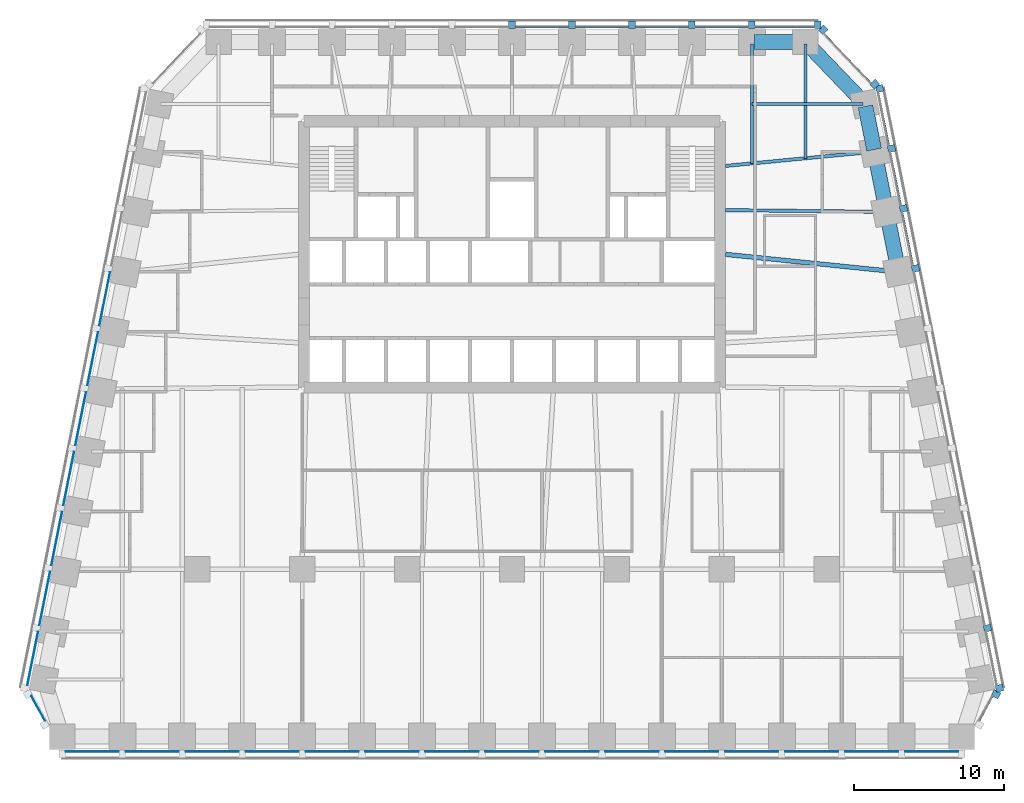
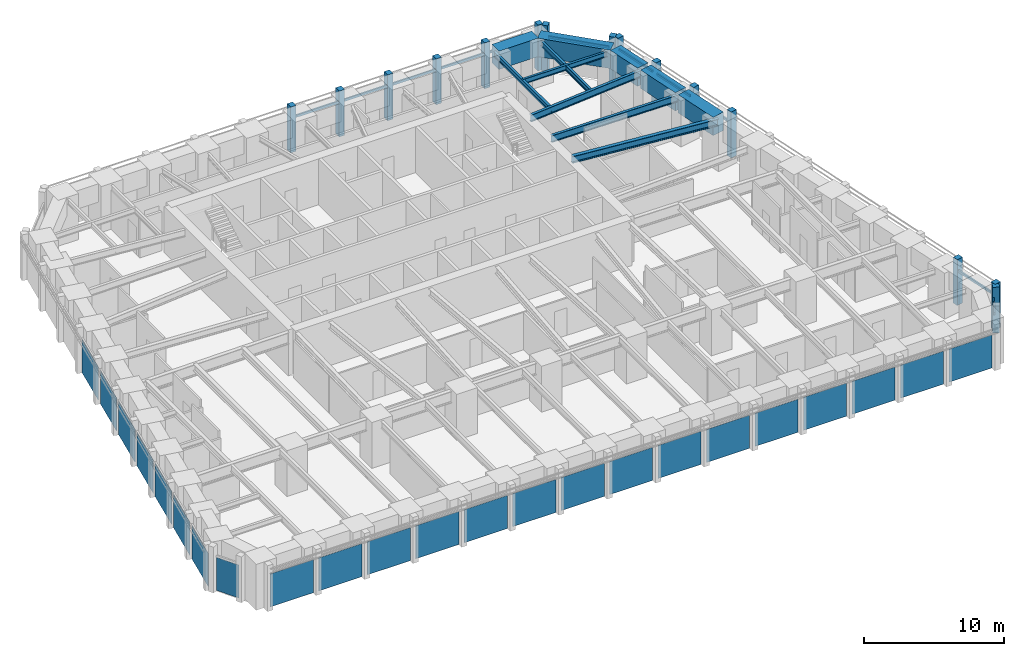
# One storey, part 4 of 10: 26 members, 23 plates, 11 beams, 7 elements without a shape of their own.
"""IFC4 building model written with IfcOpenShell, lengths in metres."""

from ifc_helpers import new_model, si_unit, direction, frame, origin, origin_2d, place, context, subcontext, project, spatial, rectangle, i_section, extrude, material, layer, layer_set, material_profile, profile_set, type_object, element, aggregate, save


model = new_model("IFC4")

# Units and contexts
model_context = context("Model", 3, precision=1e-05, world=origin(), true_north=direction((0.0, 1.0)))
body_context = subcontext(model_context, "Body", "Model", "MODEL_VIEW")
ifc_project = project(units=[si_unit("LENGTHUNIT", "METRE"), si_unit("AREAUNIT", "SQUARE_METRE"), si_unit("VOLUMEUNIT", "CUBIC_METRE"), si_unit("PLANEANGLEUNIT", "RADIAN"), si_unit("MASSUNIT", "GRAM", prefix="KILO")], contexts=[model_context])

# Site, building, storey
site_placement = place(None, origin())
site = spatial("IfcSite", under=ifc_project, at=site_placement, CompositionType="ELEMENT")
building_placement = place(site_placement, origin())
building = spatial("IfcBuilding", under=site, at=building_placement, Name="Isbrekke Arena Tower", CompositionType="ELEMENT")
storey_placement = place(building_placement, frame((0.0, 0.0, 159.0)))
storey = spatial("IfcBuildingStorey", under=building, at=storey_placement, Name="L36", CompositionType="ELEMENT", Elevation=159.0)

# Beams
ifc_material_1 = material(Name="Steel S355", Category="steel")
ifc_material_profile_1 = material_profile(ifc_material_1, i_section(OverallWidth=0.219970703125, OverallDepth=0.60009765625, WebThickness=0.011962890625, FlangeThickness=0.01904296875, FilletRadius=0.02392578125, at=origin_2d()), Name="IPE 600")
ifc_profile_set_1 = profile_set([ifc_material_profile_1], Name="Steel S355")
beam_type_1 = type_object("IfcBeamType", Name="B1 IPE 600", PredefinedType="BEAM", material=ifc_profile_set_1)
beam_1_placement = place(storey_placement, frame((24.83984375, 17.838134765625, 3.550048828125), z_axis=(-0.999944260169, 0.010558245831, 0.0), x_axis=(-0.010558245831, -0.999944260169, 0.0)))
element("IfcBeam", 1, at=beam_1_placement, inside=storey, type_object=beam_type_1, Name="B1 beam E-E09 L36", PredefinedType="BEAM", context=body_context, shape_type="SweptSolid", body=[
    extrude(i_section(OverallWidth=0.219970703125, OverallDepth=0.60009765625, WebThickness=0.011962890625, FlangeThickness=0.01904296875, FilletRadius=0.02392578125, at=origin_2d()), origin(), (0.0, 0.0, 1.0), 10.59033203125),
])
beam_2_placement = place(storey_placement, frame((24.030517578125, 21.837158203125, 3.550048828125), z_axis=(-0.995439798606, -0.095391862082, 0.0), x_axis=(0.095391862082, -0.995439798606, 0.0)))
element("IfcBeam", 2, at=beam_2_placement, inside=storey, type_object=beam_type_1, Name="B1 beam E-E10 L36", PredefinedType="BEAM", context=body_context, shape_type="SweptSolid", body=[
    extrude(i_section(OverallWidth=0.219970703125, OverallDepth=0.60009765625, WebThickness=0.011962890625, FlangeThickness=0.01904296875, FilletRadius=0.02392578125, at=origin_2d()), origin(), (0.0, 0.0, 1.0), 9.825439453125),
])
ifc_material_2 = material(Name="Steel S355", Category="steel")
ifc_material_profile_2 = material_profile(ifc_material_2, i_section(OverallWidth=0.18994140625, OverallDepth=0.449951171875, WebThickness=0.009521484375, FlangeThickness=0.0146484375, FilletRadius=0.02099609375, at=origin_2d()), Name="IPE 450")
ifc_profile_set_2 = profile_set([ifc_material_profile_2], Name="Steel S355")
beam_type_2 = type_object("IfcBeamType", Name="B2 IPE 450", PredefinedType="BEAM", material=ifc_profile_set_2)
beam_3_placement = place(storey_placement, frame((23.40283203125, 25.029296875, 3.625), z_axis=(-1.0, 0.0, 0.0), x_axis=(0.0, -1.0, 0.0)))
element("IfcBeam", 3, at=beam_3_placement, inside=storey, type_object=beam_type_2, Name="B2 beam E-E11 L36", PredefinedType="BEAM", context=body_context, shape_type="SweptSolid", body=[
    extrude(i_section(OverallWidth=0.18994140625, OverallDepth=0.449951171875, WebThickness=0.009521484375, FlangeThickness=0.0146484375, FilletRadius=0.02099609375, at=origin_2d()), origin(), (0.0, 0.0, 1.0), 7.40283203125),
])
ifc_material_3 = material(Name="Steel S355", Category="steel")
ifc_material_profile_3 = material_profile(ifc_material_3, i_section(OverallWidth=0.18994140625, OverallDepth=0.449951171875, WebThickness=0.009521484375, FlangeThickness=0.0146484375, FilletRadius=0.02099609375, at=origin_2d()), Name="IPE 450")
ifc_profile_set_3 = profile_set([ifc_material_profile_3], Name="Steel S355")
beam_type_3 = type_object("IfcBeamType", Name="B3 IPE 450", PredefinedType="BEAM", material=ifc_profile_set_3)
beam_4_placement = place(storey_placement, frame((19.574951171875, 29.02490234375, 3.625), z_axis=(0.0, -1.0, 0.0), x_axis=(1.0, 0.0, 0.0)))
element("IfcBeam", 4, at=beam_4_placement, inside=storey, type_object=beam_type_3, Name="B3 beam N-N01 L36", PredefinedType="BEAM", context=body_context, shape_type="SweptSolid", body=[
    extrude(i_section(OverallWidth=0.18994140625, OverallDepth=0.449951171875, WebThickness=0.009521484375, FlangeThickness=0.0146484375, FilletRadius=0.02099609375, at=origin_2d()), origin(), (0.0, 0.0, 1.0), 7.61474609375),
])
beam_5_placement = place(storey_placement, frame((16.0, 29.02490234375, 3.625), z_axis=(0.0, -1.0, 0.0), x_axis=(1.0, 0.0, 0.0)))
element("IfcBeam", 5, at=beam_5_placement, inside=storey, type_object=beam_type_3, Name="B3 beam N-N02 L36", PredefinedType="BEAM", context=body_context, shape_type="SweptSolid", body=[
    extrude(i_section(OverallWidth=0.18994140625, OverallDepth=0.449951171875, WebThickness=0.009521484375, FlangeThickness=0.0146484375, FilletRadius=0.02099609375, at=origin_2d()), origin(), (0.0, 0.0, 1.0), 7.957275390625),
])
ifc_material_4 = material(Name="Steel S355", Category="steel")
ifc_material_profile_4 = material_profile(ifc_material_4, i_section(OverallWidth=0.300048828125, OverallDepth=0.60009765625, WebThickness=0.015380859375, FlangeThickness=0.030029296875, FilletRadius=0.027099609375, at=origin_2d()), Name="HEB 600")
ifc_profile_set_4 = profile_set([ifc_material_profile_4], Name="Steel S355")
beam_type_4 = type_object("IfcBeamType", Name="B7 HEB 600", PredefinedType="BEAM", material=ifc_profile_set_4)
beam_6_placement = place(storey_placement, frame((25.6259765625, 13.83984375, 3.550048828125), z_axis=(-0.994839949319, 0.10145676537, 0.0), x_axis=(-0.10145676537, -0.994839949319, 0.0)))
element("IfcBeam", 6, at=beam_6_placement, inside=storey, type_object=beam_type_4, Name="B7 beam E-E08 L36", PredefinedType="BEAM", context=body_context, shape_type="SweptSolid", body=[
    extrude(i_section(OverallWidth=0.300048828125, OverallDepth=0.60009765625, WebThickness=0.015380859375, FlangeThickness=0.030029296875, FilletRadius=0.027099609375, at=origin_2d()), origin(), (0.0, 0.0, 1.0), 11.43505859375),
])

# Curtain wall, member
ifc_material_5 = material(Name="Glazed aluminium curtain wall", Category="aluminium")
curtain_wall_type = type_object("IfcCurtainWallType", Name="CWM TOWER CURTAIN WALL MID ZONE", PredefinedType="USERDEFINED", material=ifc_material_5)
curtain_wall_1_placement = place(storey_placement, origin())
curtain_wall_1 = element("IfcCurtainWall", 7, at=curtain_wall_1_placement, inside=storey, type_object=curtain_wall_type, Name="CWM curtain wall L36-SE", ObjectType="TOWER CURTAIN WALL MID ZONE", PredefinedType="USERDEFINED")
ifc_material_6 = material(Name="Aluminium mullion, pale brick slip cladding", Category="masonry")
ifc_material_profile_5 = material_profile(ifc_material_6, rectangle(XDim=0.449951171875, YDim=0.5, at=origin_2d()), Name="PIER 450X500")
ifc_profile_set_5 = profile_set([ifc_material_profile_5], Name="Aluminium mullion, pale brick slip cladding")
member_type_1 = type_object("IfcMemberType", Name="CWM-M PIER MULLION 450 x 500", PredefinedType="MULLION", material=ifc_profile_set_5)
member_1_placement = place(storey_placement, frame((32.296142578125, -14.34375, 0.0), z_axis=(0.0, 0.0, 1.0), x_axis=(0.481918749773, 0.876215908676, 0.0)))
member_1 = element("IfcMember", 8, at=member_1_placement, type_object=member_type_1, Name="CWM-M mullion 2", PredefinedType="MULLION", context=body_context, shape_type="SweptSolid", body=[
    extrude(rectangle(XDim=0.449951171875, YDim=0.5, at=origin_2d()), origin(), (0.0, 0.0, 1.0), 4.0),
])

# Curtain wall, members
curtain_wall_2_placement = place(storey_placement, origin())
curtain_wall_2 = element("IfcCurtainWall", 9, at=curtain_wall_2_placement, inside=storey, type_object=curtain_wall_type, Name="CWM curtain wall L36-E", ObjectType="TOWER CURTAIN WALL MID ZONE", PredefinedType="USERDEFINED")
member_2_placement = place(storey_placement, frame((32.518798828125, -13.936279296875, 0.0), z_axis=(0.0, 0.0, 1.0), x_axis=(-0.196116135138, 0.980580675691, 0.0)))
member_2 = element("IfcMember", 10, at=member_2_placement, type_object=member_type_1, Name="CWM-M mullion 1", PredefinedType="MULLION", context=body_context, shape_type="SweptSolid", body=[
    extrude(rectangle(XDim=0.449951171875, YDim=0.5, at=origin_2d()), origin(), (0.0, 0.0, 1.0), 4.0),
])
member_3_placement = place(storey_placement, frame((31.71875, -9.936279296875, 0.0), z_axis=(0.0, 0.0, 1.0), x_axis=(-0.196116135138, 0.980580675691, 0.0)))
member_3 = element("IfcMember", 11, at=member_3_placement, type_object=member_type_1, Name="CWM-M mullion 2", PredefinedType="MULLION", context=body_context, shape_type="SweptSolid", body=[
    extrude(rectangle(XDim=0.449951171875, YDim=0.5, at=origin_2d()), origin(), (0.0, 0.0, 1.0), 4.0),
])
member_4_placement = place(storey_placement, frame((26.918701171875, 14.063720703125, 0.0), z_axis=(0.0, 0.0, 1.0), x_axis=(-0.196116135138, 0.980580675691, 0.0)))
member_4 = element("IfcMember", 12, at=member_4_placement, type_object=member_type_1, Name="CWM-M mullion 8", PredefinedType="MULLION", context=body_context, shape_type="SweptSolid", body=[
    extrude(rectangle(XDim=0.449951171875, YDim=0.5, at=origin_2d()), origin(), (0.0, 0.0, 1.0), 4.0),
])
member_5_placement = place(storey_placement, frame((26.11865234375, 18.063720703125, 0.0), z_axis=(0.0, 0.0, 1.0), x_axis=(-0.196116135138, 0.980580675691, 0.0)))
member_5 = element("IfcMember", 13, at=member_5_placement, type_object=member_type_1, Name="CWM-M mullion 9", PredefinedType="MULLION", context=body_context, shape_type="SweptSolid", body=[
    extrude(rectangle(XDim=0.449951171875, YDim=0.5, at=origin_2d()), origin(), (0.0, 0.0, 1.0), 4.0),
])
member_6_placement = place(storey_placement, frame((25.318603515625, 22.063720703125, 0.0), z_axis=(0.0, 0.0, 1.0), x_axis=(-0.196116135138, 0.980580675691, 0.0)))
member_6 = element("IfcMember", 14, at=member_6_placement, type_object=member_type_1, Name="CWM-M mullion 10", PredefinedType="MULLION", context=body_context, shape_type="SweptSolid", body=[
    extrude(rectangle(XDim=0.449951171875, YDim=0.5, at=origin_2d()), origin(), (0.0, 0.0, 1.0), 4.0),
])
member_7_placement = place(storey_placement, frame((24.518798828125, 26.063720703125, 0.0), z_axis=(0.0, 0.0, 1.0), x_axis=(-0.196116135138, 0.980580675691, 0.0)))
member_7 = element("IfcMember", 15, at=member_7_placement, type_object=member_type_1, Name="CWM-M mullion 11", PredefinedType="MULLION", context=body_context, shape_type="SweptSolid", body=[
    extrude(rectangle(XDim=0.449951171875, YDim=0.5, at=origin_2d()), origin(), (0.0, 0.0, 1.0), 4.0),
])

curtain_wall_3_placement = place(storey_placement, origin())
curtain_wall_3 = element("IfcCurtainWall", 16, at=curtain_wall_3_placement, inside=storey, type_object=curtain_wall_type, Name="CWM curtain wall L36-EN", ObjectType="TOWER CURTAIN WALL MID ZONE", PredefinedType="USERDEFINED")
member_8_placement = place(storey_placement, frame((24.208251953125, 26.354248046875, 0.0), z_axis=(0.0, 0.0, 1.0), x_axis=(-0.68874946192, 0.72499943359, 0.0)))
member_8 = element("IfcMember", 17, at=member_8_placement, type_object=member_type_1, Name="CWM-M mullion 1", PredefinedType="MULLION", context=body_context, shape_type="SweptSolid", body=[
    extrude(rectangle(XDim=0.449951171875, YDim=0.5, at=origin_2d()), origin(), (0.0, 0.0, 1.0), 4.0),
])
member_9_placement = place(storey_placement, frame((20.7587890625, 29.9853515625, 0.0), z_axis=(0.0, 0.0, 1.0), x_axis=(-0.68874946192, 0.72499943359, 0.0)))
member_9 = element("IfcMember", 18, at=member_9_placement, type_object=member_type_1, Name="CWM-M mullion 2", PredefinedType="MULLION", context=body_context, shape_type="SweptSolid", body=[
    extrude(rectangle(XDim=0.449951171875, YDim=0.5, at=origin_2d()), origin(), (0.0, 0.0, 1.0), 4.0),
])

curtain_wall_4_placement = place(storey_placement, origin())
curtain_wall_4 = element("IfcCurtainWall", 19, at=curtain_wall_4_placement, inside=storey, type_object=curtain_wall_type, Name="CWM curtain wall L36-N", ObjectType="TOWER CURTAIN WALL MID ZONE", PredefinedType="USERDEFINED")
member_10_placement = place(storey_placement, frame((20.39990234375, 30.324951171875, 0.0), z_axis=(0.0, 0.0, 1.0), x_axis=(-1.0, 0.0, 0.0)))
member_10 = element("IfcMember", 20, at=member_10_placement, type_object=member_type_1, Name="CWM-M mullion 1", PredefinedType="MULLION", context=body_context, shape_type="SweptSolid", body=[
    extrude(rectangle(XDim=0.449951171875, YDim=0.5, at=origin_2d()), origin(), (0.0, 0.0, 1.0), 4.0),
])
member_11_placement = place(storey_placement, frame((16.0, 30.324951171875, 0.0), z_axis=(0.0, 0.0, 1.0), x_axis=(-1.0, 0.0, 0.0)))
member_11 = element("IfcMember", 21, at=member_11_placement, type_object=member_type_1, Name="CWM-M mullion 2", PredefinedType="MULLION", context=body_context, shape_type="SweptSolid", body=[
    extrude(rectangle(XDim=0.449951171875, YDim=0.5, at=origin_2d()), origin(), (0.0, 0.0, 1.0), 4.0),
])
member_12_placement = place(storey_placement, frame((12.0, 30.324951171875, 0.0), z_axis=(0.0, 0.0, 1.0), x_axis=(-1.0, 0.0, 0.0)))
member_12 = element("IfcMember", 22, at=member_12_placement, type_object=member_type_1, Name="CWM-M mullion 3", PredefinedType="MULLION", context=body_context, shape_type="SweptSolid", body=[
    extrude(rectangle(XDim=0.449951171875, YDim=0.5, at=origin_2d()), origin(), (0.0, 0.0, 1.0), 4.0),
])
member_13_placement = place(storey_placement, frame((8.0, 30.324951171875, 0.0), z_axis=(0.0, 0.0, 1.0), x_axis=(-1.0, 0.0, 0.0)))
member_13 = element("IfcMember", 23, at=member_13_placement, type_object=member_type_1, Name="CWM-M mullion 4", PredefinedType="MULLION", context=body_context, shape_type="SweptSolid", body=[
    extrude(rectangle(XDim=0.449951171875, YDim=0.5, at=origin_2d()), origin(), (0.0, 0.0, 1.0), 4.0),
])
member_14_placement = place(storey_placement, frame((4.0, 30.324951171875, 0.0), z_axis=(0.0, 0.0, 1.0), x_axis=(-1.0, 0.0, 0.0)))
member_14 = element("IfcMember", 24, at=member_14_placement, type_object=member_type_1, Name="CWM-M mullion 5", PredefinedType="MULLION", context=body_context, shape_type="SweptSolid", body=[
    extrude(rectangle(XDim=0.449951171875, YDim=0.5, at=origin_2d()), origin(), (0.0, 0.0, 1.0), 4.0),
])
member_15_placement = place(storey_placement, frame((0.0, 30.324951171875, 0.0), z_axis=(0.0, 0.0, 1.0), x_axis=(-1.0, 0.0, 0.0)))
member_15 = element("IfcMember", 25, at=member_15_placement, type_object=member_type_1, Name="CWM-M mullion 6", PredefinedType="MULLION", context=body_context, shape_type="SweptSolid", body=[
    extrude(rectangle(XDim=0.449951171875, YDim=0.5, at=origin_2d()), origin(), (0.0, 0.0, 1.0), 4.0),
])

# Member
ifc_material_7 = material(Name="Aluminium transom", Category="aluminium")
ifc_material_profile_6 = material_profile(ifc_material_7, rectangle(XDim=0.1201171875, YDim=0.199951171875, at=origin_2d()), Name="TRANSOM 120X200")
ifc_profile_set_6 = profile_set([ifc_material_profile_6], Name="Aluminium transom")
member_type_2 = type_object("IfcMemberType", Name="CWM-T TRANSOM 120 x 200", PredefinedType="USERDEFINED", material=ifc_profile_set_6)
member_16_placement = place(storey_placement, frame((31.152099609375, -16.112548828125, 3.0), z_axis=(0.482003669577, 0.876169197424, 0.0), x_axis=(-0.876169197424, 0.482003669577, 0.0)))
member_16 = element("IfcMember", 26, at=member_16_placement, type_object=member_type_2, Name="CWM-T transom 1", ObjectType="TRANSOM", PredefinedType="USERDEFINED", context=body_context, shape_type="SweptSolid", body=[
    extrude(rectangle(XDim=0.1201171875, YDim=0.199951171875, at=origin_2d()), origin(), (0.0, 0.0, 1.0), 1.876220703125),
])

aggregate(curtain_wall_1, [member_1, member_16])

member_17_placement = place(storey_placement, frame((32.327392578125, -13.7451171875, 3.0), z_axis=(-0.196090262229, 0.980585849918, 0.0), x_axis=(-0.980585849918, -0.196090262229, 0.0)))
member_17 = element("IfcMember", 27, at=member_17_placement, type_object=member_type_2, Name="CWM-T transom 1", ObjectType="TRANSOM", PredefinedType="USERDEFINED", context=body_context, shape_type="SweptSolid", body=[
    extrude(rectangle(XDim=0.1201171875, YDim=0.199951171875, at=origin_2d()), origin(), (0.0, 0.0, 1.0), 3.62939453125),
])

member_18_placement = place(storey_placement, frame((26.7275390625, 14.2548828125, 3.0), z_axis=(-0.196154943734, 0.980572913173, 0.0), x_axis=(-0.980572913173, -0.196154943734, 0.0)))
member_18 = element("IfcMember", 28, at=member_18_placement, type_object=member_type_2, Name="CWM-T transom 8", ObjectType="TRANSOM", PredefinedType="USERDEFINED", context=body_context, shape_type="SweptSolid", body=[
    extrude(rectangle(XDim=0.1201171875, YDim=0.199951171875, at=origin_2d()), origin(), (0.0, 0.0, 1.0), 3.62939453125),
])

member_19_placement = place(storey_placement, frame((25.927490234375, 18.2548828125, 3.0), z_axis=(-0.196090262229, 0.980585849918, 0.0), x_axis=(-0.980585849918, -0.196090262229, 0.0)))
member_19 = element("IfcMember", 29, at=member_19_placement, type_object=member_type_2, Name="CWM-T transom 9", ObjectType="TRANSOM", PredefinedType="USERDEFINED", context=body_context, shape_type="SweptSolid", body=[
    extrude(rectangle(XDim=0.1201171875, YDim=0.199951171875, at=origin_2d()), origin(), (0.0, 0.0, 1.0), 3.62939453125),
])

member_20_placement = place(storey_placement, frame((25.12744140625, 22.2548828125, 3.0), z_axis=(-0.196090262229, 0.980585849918, 0.0), x_axis=(-0.980585849918, -0.196090262229, 0.0)))
member_20 = element("IfcMember", 30, at=member_20_placement, type_object=member_type_2, Name="CWM-T transom 10", ObjectType="TRANSOM", PredefinedType="USERDEFINED", context=body_context, shape_type="SweptSolid", body=[
    extrude(rectangle(XDim=0.1201171875, YDim=0.199951171875, at=origin_2d()), origin(), (0.0, 0.0, 1.0), 3.62939453125),
])

aggregate(curtain_wall_2, [member_2, member_3, member_4, member_5, member_6, member_7, member_17, member_18, member_19, member_20])

member_21_placement = place(storey_placement, frame((23.944580078125, 26.4140625, 3.0), z_axis=(-0.688771983213, 0.724978037696, 0.0), x_axis=(-0.724978037696, -0.688771983213, 0.0)))
member_21 = element("IfcMember", 31, at=member_21_placement, type_object=member_type_2, Name="CWM-T transom 1", ObjectType="TRANSOM", PredefinedType="USERDEFINED", context=body_context, shape_type="SweptSolid", body=[
    extrude(rectangle(XDim=0.1201171875, YDim=0.199951171875, at=origin_2d()), origin(), (0.0, 0.0, 1.0), 4.558349609375),
])

aggregate(curtain_wall_3, [member_8, member_9, member_21])

member_22_placement = place(storey_placement, frame((20.175048828125, 30.175048828125, 3.0), z_axis=(-1.0, 0.0, 0.0), x_axis=(0.0, -1.0, 0.0)))
member_22 = element("IfcMember", 32, at=member_22_placement, type_object=member_type_2, Name="CWM-T transom 1", ObjectType="TRANSOM", PredefinedType="USERDEFINED", context=body_context, shape_type="SweptSolid", body=[
    extrude(rectangle(XDim=0.1201171875, YDim=0.199951171875, at=origin_2d()), origin(), (0.0, 0.0, 1.0), 3.949951171875),
])

member_23_placement = place(storey_placement, frame((15.77490234375, 30.175048828125, 3.0), z_axis=(-1.0, 0.0, 0.0), x_axis=(0.0, -1.0, 0.0)))
member_23 = element("IfcMember", 33, at=member_23_placement, type_object=member_type_2, Name="CWM-T transom 2", ObjectType="TRANSOM", PredefinedType="USERDEFINED", context=body_context, shape_type="SweptSolid", body=[
    extrude(rectangle(XDim=0.1201171875, YDim=0.199951171875, at=origin_2d()), origin(), (0.0, 0.0, 1.0), 3.5498046875),
])

member_24_placement = place(storey_placement, frame((11.77490234375, 30.175048828125, 3.0), z_axis=(-1.0, 0.0, 0.0), x_axis=(0.0, -1.0, 0.0)))
member_24 = element("IfcMember", 34, at=member_24_placement, type_object=member_type_2, Name="CWM-T transom 3", ObjectType="TRANSOM", PredefinedType="USERDEFINED", context=body_context, shape_type="SweptSolid", body=[
    extrude(rectangle(XDim=0.1201171875, YDim=0.199951171875, at=origin_2d()), origin(), (0.0, 0.0, 1.0), 3.5498046875),
])

member_25_placement = place(storey_placement, frame((7.77490234375, 30.175048828125, 3.0), z_axis=(-1.0, 0.0, 0.0), x_axis=(0.0, -1.0, 0.0)))
member_25 = element("IfcMember", 35, at=member_25_placement, type_object=member_type_2, Name="CWM-T transom 4", ObjectType="TRANSOM", PredefinedType="USERDEFINED", context=body_context, shape_type="SweptSolid", body=[
    extrude(rectangle(XDim=0.1201171875, YDim=0.199951171875, at=origin_2d()), origin(), (0.0, 0.0, 1.0), 3.5498046875),
])

member_26_placement = place(storey_placement, frame((3.77490234375, 30.175048828125, 3.0), z_axis=(-1.0, 0.0, 0.0), x_axis=(0.0, -1.0, 0.0)))
member_26 = element("IfcMember", 36, at=member_26_placement, type_object=member_type_2, Name="CWM-T transom 5", ObjectType="TRANSOM", PredefinedType="USERDEFINED", context=body_context, shape_type="SweptSolid", body=[
    extrude(rectangle(XDim=0.1201171875, YDim=0.199951171875, at=origin_2d()), origin(), (0.0, 0.0, 1.0), 3.5498046875),
])

aggregate(curtain_wall_4, [member_10, member_11, member_12, member_13, member_14, member_15, member_22, member_23, member_24, member_25, member_26])

# Beams
ifc_material_8 = material(Name="Concrete B80 (C80/95)", Category="concrete")
ifc_material_profile_7 = material_profile(ifc_material_8, rectangle(XDim=1.0, YDim=1.60009765625, at=origin_2d()), Name="RC 1000x1600")
ifc_profile_set_7 = profile_set([ifc_material_profile_7], Name="Concrete B80 (C80/95)")
beam_type_5 = type_object("IfcBeamType", Name="SB2 RC 1000 x 1600", PredefinedType="SPANDREL", material=ifc_profile_set_7)
for number, where, z_axis, x_axis, name in (
    (37, (25.76171875, 13.9853515625, 3.199951171875), (-0.196128558387, 0.980578190959, 0.0), (-0.980578190959, -0.196128558387, 0.0), "SB2 spandrel E08-E09 L36"),
    (38, (24.961669921875, 17.9853515625, 3.199951171875), (-0.196128558387, 0.980578190959, 0.0), (-0.980578190959, -0.196128558387, 0.0), "SB2 spandrel E09-E10 L36"),
):
    element("IfcBeam", number, at=place(storey_placement, frame(where, z_axis=z_axis, x_axis=x_axis)), inside=storey, type_object=beam_type_5, Name=name, PredefinedType="SPANDREL", context=body_context, shape_type="SweptSolid", body=[
        extrude(rectangle(XDim=1.0, YDim=1.60009765625, at=origin_2d()), origin(), (0.0, 0.0, 1.0), 3.779296875),
    ])
beam_7_placement = place(storey_placement, frame((24.16162109375, 21.9853515625, 3.199951171875), z_axis=(-0.196116135138, 0.980580675691, 0.0), x_axis=(-0.980580675691, -0.196116135138, 0.0)))
element("IfcBeam", 39, at=beam_7_placement, inside=storey, type_object=beam_type_5, Name="SB2 spandrel E10-E11 L36", PredefinedType="SPANDREL", context=body_context, shape_type="SweptSolid", body=[
    extrude(rectangle(XDim=1.0, YDim=1.60009765625, at=origin_2d()), origin(), (0.0, 0.0, 1.0), 2.9541015625),
])
beam_8_placement = place(storey_placement, frame((23.448974609375, 25.137451171875, 3.199951171875), z_axis=(-0.692339547635, 0.721571861134, 0.0), x_axis=(-0.721571861134, -0.692339547635, 0.0)))
element("IfcBeam", 40, at=beam_8_placement, inside=storey, type_object=beam_type_5, Name="SB2 spandrel E11-N01 L36", PredefinedType="SPANDREL", context=body_context, shape_type="SweptSolid", body=[
    extrude(rectangle(XDim=1.0, YDim=1.60009765625, at=origin_2d()), origin(), (0.0, 0.0, 1.0), 5.4453125),
])
beam_9_placement = place(storey_placement, frame((19.425048828125, 29.175048828125, 3.199951171875), z_axis=(-1.0, 0.0, 0.0), x_axis=(0.0, -1.0, 0.0)))
element("IfcBeam", 41, at=beam_9_placement, inside=storey, type_object=beam_type_5, Name="SB2 spandrel N01-N02 L36", PredefinedType="SPANDREL", context=body_context, shape_type="SweptSolid", body=[
    extrude(rectangle(XDim=1.0, YDim=1.60009765625, at=origin_2d()), origin(), (0.0, 0.0, 1.0), 3.275146484375),
])

# Curtain wall, plates
curtain_wall_5_placement = place(storey_placement, origin())
curtain_wall_5 = element("IfcCurtainWall", 42, at=curtain_wall_5_placement, inside=storey, type_object=curtain_wall_type, Name="CWM curtain wall L36-S", ObjectType="TOWER CURTAIN WALL MID ZONE", PredefinedType="USERDEFINED")
ifc_material_9 = material(Name="Triple-glazed clear glass unit", Category="glass")
ifc_layer = layer(ifc_material_9, 0.031982421875)
ifc_layer_set = layer_set([ifc_layer], Name="CWM-P VISION PANEL")
plate_type = type_object("IfcPlateType", Name="CWM-P VISION PANEL", PredefinedType="CURTAIN_PANEL", material=ifc_layer_set)
plate_1_placement = place(storey_placement, frame((-28.0, -18.175048828125, 0.02001953125), z_axis=(0.0, 0.0, 1.0), x_axis=(1.0, 0.0, 0.0)))
plate_1 = element("IfcPlate", 43, at=plate_1_placement, type_object=plate_type, Name="CWM-P panel 1", PredefinedType="CURTAIN_PANEL", context=body_context, shape_type="SweptSolid", body=[
    extrude(rectangle(XDim=3.550048828125, YDim=0.031982421875, at=origin_2d()), origin(), (0.0, 0.0, 1.0), 2.8798828125),
])
plate_2_placement = place(storey_placement, frame((-24.0, -18.175048828125, 0.02001953125), z_axis=(0.0, 0.0, 1.0), x_axis=(1.0, 0.0, 0.0)))
plate_2 = element("IfcPlate", 44, at=plate_2_placement, type_object=plate_type, Name="CWM-P panel 2", PredefinedType="CURTAIN_PANEL", context=body_context, shape_type="SweptSolid", body=[
    extrude(rectangle(XDim=3.550048828125, YDim=0.031982421875, at=origin_2d()), origin(), (0.0, 0.0, 1.0), 2.8798828125),
])
plate_3_placement = place(storey_placement, frame((-20.0, -18.175048828125, 0.02001953125), z_axis=(0.0, 0.0, 1.0), x_axis=(1.0, 0.0, 0.0)))
plate_3 = element("IfcPlate", 45, at=plate_3_placement, type_object=plate_type, Name="CWM-P panel 3", PredefinedType="CURTAIN_PANEL", context=body_context, shape_type="SweptSolid", body=[
    extrude(rectangle(XDim=3.550048828125, YDim=0.031982421875, at=origin_2d()), origin(), (0.0, 0.0, 1.0), 2.8798828125),
])
plate_4_placement = place(storey_placement, frame((-16.0, -18.175048828125, 0.02001953125), z_axis=(0.0, 0.0, 1.0), x_axis=(1.0, 0.0, 0.0)))
plate_4 = element("IfcPlate", 46, at=plate_4_placement, type_object=plate_type, Name="CWM-P panel 4", PredefinedType="CURTAIN_PANEL", context=body_context, shape_type="SweptSolid", body=[
    extrude(rectangle(XDim=3.550048828125, YDim=0.031982421875, at=origin_2d()), origin(), (0.0, 0.0, 1.0), 2.8798828125),
])
plate_5_placement = place(storey_placement, frame((-12.0, -18.175048828125, 0.02001953125), z_axis=(0.0, 0.0, 1.0), x_axis=(1.0, 0.0, 0.0)))
plate_5 = element("IfcPlate", 47, at=plate_5_placement, type_object=plate_type, Name="CWM-P panel 5", PredefinedType="CURTAIN_PANEL", context=body_context, shape_type="SweptSolid", body=[
    extrude(rectangle(XDim=3.550048828125, YDim=0.031982421875, at=origin_2d()), origin(), (0.0, 0.0, 1.0), 2.8798828125),
])
plate_6_placement = place(storey_placement, frame((-8.0, -18.175048828125, 0.02001953125), z_axis=(0.0, 0.0, 1.0), x_axis=(1.0, 0.0, 0.0)))
plate_6 = element("IfcPlate", 48, at=plate_6_placement, type_object=plate_type, Name="CWM-P panel 6", PredefinedType="CURTAIN_PANEL", context=body_context, shape_type="SweptSolid", body=[
    extrude(rectangle(XDim=3.550048828125, YDim=0.031982421875, at=origin_2d()), origin(), (0.0, 0.0, 1.0), 2.8798828125),
])
plate_7_placement = place(storey_placement, frame((-4.0, -18.175048828125, 0.02001953125), z_axis=(0.0, 0.0, 1.0), x_axis=(1.0, 0.0, 0.0)))
plate_7 = element("IfcPlate", 49, at=plate_7_placement, type_object=plate_type, Name="CWM-P panel 7", PredefinedType="CURTAIN_PANEL", context=body_context, shape_type="SweptSolid", body=[
    extrude(rectangle(XDim=3.550048828125, YDim=0.031982421875, at=origin_2d()), origin(), (0.0, 0.0, 1.0), 2.8798828125),
])
plate_8_placement = place(storey_placement, frame((0.0, -18.175048828125, 0.02001953125), z_axis=(0.0, 0.0, 1.0), x_axis=(1.0, 0.0, 0.0)))
plate_8 = element("IfcPlate", 50, at=plate_8_placement, type_object=plate_type, Name="CWM-P panel 8", PredefinedType="CURTAIN_PANEL", context=body_context, shape_type="SweptSolid", body=[
    extrude(rectangle(XDim=3.550048828125, YDim=0.031982421875, at=origin_2d()), origin(), (0.0, 0.0, 1.0), 2.8798828125),
])
plate_9_placement = place(storey_placement, frame((4.0, -18.175048828125, 0.02001953125), z_axis=(0.0, 0.0, 1.0), x_axis=(1.0, 0.0, 0.0)))
plate_9 = element("IfcPlate", 51, at=plate_9_placement, type_object=plate_type, Name="CWM-P panel 9", PredefinedType="CURTAIN_PANEL", context=body_context, shape_type="SweptSolid", body=[
    extrude(rectangle(XDim=3.550048828125, YDim=0.031982421875, at=origin_2d()), origin(), (0.0, 0.0, 1.0), 2.8798828125),
])
plate_10_placement = place(storey_placement, frame((8.0, -18.175048828125, 0.02001953125), z_axis=(0.0, 0.0, 1.0), x_axis=(1.0, 0.0, 0.0)))
plate_10 = element("IfcPlate", 52, at=plate_10_placement, type_object=plate_type, Name="CWM-P panel 10", PredefinedType="CURTAIN_PANEL", context=body_context, shape_type="SweptSolid", body=[
    extrude(rectangle(XDim=3.550048828125, YDim=0.031982421875, at=origin_2d()), origin(), (0.0, 0.0, 1.0), 2.8798828125),
])
plate_11_placement = place(storey_placement, frame((12.0, -18.175048828125, 0.02001953125), z_axis=(0.0, 0.0, 1.0), x_axis=(1.0, 0.0, 0.0)))
plate_11 = element("IfcPlate", 53, at=plate_11_placement, type_object=plate_type, Name="CWM-P panel 11", PredefinedType="CURTAIN_PANEL", context=body_context, shape_type="SweptSolid", body=[
    extrude(rectangle(XDim=3.550048828125, YDim=0.031982421875, at=origin_2d()), origin(), (0.0, 0.0, 1.0), 2.8798828125),
])
plate_12_placement = place(storey_placement, frame((16.0, -18.175048828125, 0.02001953125), z_axis=(0.0, 0.0, 1.0), x_axis=(1.0, 0.0, 0.0)))
plate_12 = element("IfcPlate", 54, at=plate_12_placement, type_object=plate_type, Name="CWM-P panel 12", PredefinedType="CURTAIN_PANEL", context=body_context, shape_type="SweptSolid", body=[
    extrude(rectangle(XDim=3.550048828125, YDim=0.031982421875, at=origin_2d()), origin(), (0.0, 0.0, 1.0), 2.8798828125),
])
plate_13_placement = place(storey_placement, frame((20.0, -18.175048828125, 0.02001953125), z_axis=(0.0, 0.0, 1.0), x_axis=(1.0, 0.0, 0.0)))
plate_13 = element("IfcPlate", 55, at=plate_13_placement, type_object=plate_type, Name="CWM-P panel 13", PredefinedType="CURTAIN_PANEL", context=body_context, shape_type="SweptSolid", body=[
    extrude(rectangle(XDim=3.550048828125, YDim=0.031982421875, at=origin_2d()), origin(), (0.0, 0.0, 1.0), 2.8798828125),
])
plate_14_placement = place(storey_placement, frame((24.0, -18.175048828125, 0.02001953125), z_axis=(0.0, 0.0, 1.0), x_axis=(1.0, 0.0, 0.0)))
plate_14 = element("IfcPlate", 56, at=plate_14_placement, type_object=plate_type, Name="CWM-P panel 14", PredefinedType="CURTAIN_PANEL", context=body_context, shape_type="SweptSolid", body=[
    extrude(rectangle(XDim=3.550048828125, YDim=0.031982421875, at=origin_2d()), origin(), (0.0, 0.0, 1.0), 2.8798828125),
])
plate_15_placement = place(storey_placement, frame((28.0, -18.175048828125, 0.02001953125), z_axis=(0.0, 0.0, 1.0), x_axis=(1.0, 0.0, 0.0)))
plate_15 = element("IfcPlate", 57, at=plate_15_placement, type_object=plate_type, Name="CWM-P panel 15", PredefinedType="CURTAIN_PANEL", context=body_context, shape_type="SweptSolid", body=[
    extrude(rectangle(XDim=3.550048828125, YDim=0.031982421875, at=origin_2d()), origin(), (0.0, 0.0, 1.0), 2.8798828125),
])
aggregate(curtain_wall_5, [plate_1, plate_2, plate_3, plate_4, plate_5, plate_6, plate_7, plate_8, plate_9, plate_10, plate_11, plate_12, plate_13, plate_14, plate_15])

curtain_wall_6_placement = place(storey_placement, origin())
curtain_wall_6 = element("IfcCurtainWall", 58, at=curtain_wall_6_placement, inside=storey, type_object=curtain_wall_type, Name="CWM curtain wall L36-W", ObjectType="TOWER CURTAIN WALL MID ZONE", PredefinedType="USERDEFINED")
plate_16_placement = place(storey_placement, frame((-27.171630859375, 12.034423828125, 0.02001953125), z_axis=(0.0, 0.0, 1.0), x_axis=(-0.196116135138, -0.980580675691, 0.0)))
plate_16 = element("IfcPlate", 59, at=plate_16_placement, type_object=plate_type, Name="CWM-P panel 4", PredefinedType="CURTAIN_PANEL", context=body_context, shape_type="SweptSolid", body=[
    extrude(rectangle(XDim=3.629150390625, YDim=0.031982421875, at=origin_2d()), origin(), (0.0, 0.0, 1.0), 2.8798828125),
])
plate_17_placement = place(storey_placement, frame((-27.9716796875, 8.034423828125, 0.02001953125), z_axis=(0.0, 0.0, 1.0), x_axis=(-0.196116135138, -0.980580675691, 0.0)))
plate_17 = element("IfcPlate", 60, at=plate_17_placement, type_object=plate_type, Name="CWM-P panel 5", PredefinedType="CURTAIN_PANEL", context=body_context, shape_type="SweptSolid", body=[
    extrude(rectangle(XDim=3.629150390625, YDim=0.031982421875, at=origin_2d()), origin(), (0.0, 0.0, 1.0), 2.8798828125),
])
plate_18_placement = place(storey_placement, frame((-28.771484375, 4.034423828125, 0.02001953125), z_axis=(0.0, 0.0, 1.0), x_axis=(-0.196116135138, -0.980580675691, 0.0)))
plate_18 = element("IfcPlate", 61, at=plate_18_placement, type_object=plate_type, Name="CWM-P panel 6", PredefinedType="CURTAIN_PANEL", context=body_context, shape_type="SweptSolid", body=[
    extrude(rectangle(XDim=3.629150390625, YDim=0.031982421875, at=origin_2d()), origin(), (0.0, 0.0, 1.0), 2.8798828125),
])
plate_19_placement = place(storey_placement, frame((-29.571533203125, 0.034423828125, 0.02001953125), z_axis=(0.0, 0.0, 1.0), x_axis=(-0.196116135138, -0.980580675691, 0.0)))
plate_19 = element("IfcPlate", 62, at=plate_19_placement, type_object=plate_type, Name="CWM-P panel 7", PredefinedType="CURTAIN_PANEL", context=body_context, shape_type="SweptSolid", body=[
    extrude(rectangle(XDim=3.629150390625, YDim=0.031982421875, at=origin_2d()), origin(), (0.0, 0.0, 1.0), 2.8798828125),
])
plate_20_placement = place(storey_placement, frame((-30.37158203125, -3.965576171875, 0.02001953125), z_axis=(0.0, 0.0, 1.0), x_axis=(-0.196116135138, -0.980580675691, 0.0)))
plate_20 = element("IfcPlate", 63, at=plate_20_placement, type_object=plate_type, Name="CWM-P panel 8", PredefinedType="CURTAIN_PANEL", context=body_context, shape_type="SweptSolid", body=[
    extrude(rectangle(XDim=3.629150390625, YDim=0.031982421875, at=origin_2d()), origin(), (0.0, 0.0, 1.0), 2.8798828125),
])
plate_21_placement = place(storey_placement, frame((-31.171630859375, -7.965576171875, 0.02001953125), z_axis=(0.0, 0.0, 1.0), x_axis=(-0.196116135138, -0.980580675691, 0.0)))
plate_21 = element("IfcPlate", 64, at=plate_21_placement, type_object=plate_type, Name="CWM-P panel 9", PredefinedType="CURTAIN_PANEL", context=body_context, shape_type="SweptSolid", body=[
    extrude(rectangle(XDim=3.629150390625, YDim=0.031982421875, at=origin_2d()), origin(), (0.0, 0.0, 1.0), 2.8798828125),
])
plate_22_placement = place(storey_placement, frame((-31.9716796875, -11.965576171875, 0.02001953125), z_axis=(0.0, 0.0, 1.0), x_axis=(-0.196116135138, -0.980580675691, 0.0)))
plate_22 = element("IfcPlate", 65, at=plate_22_placement, type_object=plate_type, Name="CWM-P panel 10", PredefinedType="CURTAIN_PANEL", context=body_context, shape_type="SweptSolid", body=[
    extrude(rectangle(XDim=3.629150390625, YDim=0.031982421875, at=origin_2d()), origin(), (0.0, 0.0, 1.0), 2.8798828125),
])
aggregate(curtain_wall_6, [plate_16, plate_17, plate_18, plate_19, plate_20, plate_21, plate_22])

# Curtain wall, plate
curtain_wall_7_placement = place(storey_placement, origin())
curtain_wall_7 = element("IfcCurtainWall", 66, at=curtain_wall_7_placement, inside=storey, type_object=curtain_wall_type, Name="CWM curtain wall L36-WS", ObjectType="TOWER CURTAIN WALL MID ZONE", PredefinedType="USERDEFINED")
plate_23_placement = place(storey_placement, frame((-31.60400390625, -15.291015625, 0.02001953125), z_axis=(0.0, 0.0, 1.0), x_axis=(0.481918749773, -0.876215908676, 0.0)))
plate_23 = element("IfcPlate", 67, at=plate_23_placement, type_object=plate_type, Name="CWM-P panel 1", PredefinedType="CURTAIN_PANEL", context=body_context, shape_type="SweptSolid", body=[
    extrude(rectangle(XDim=1.878173828125, YDim=0.031982421875, at=origin_2d()), origin(), (0.0, 0.0, 1.0), 2.8798828125),
])
aggregate(curtain_wall_7, [plate_23])

save(model, "model.ifc")
